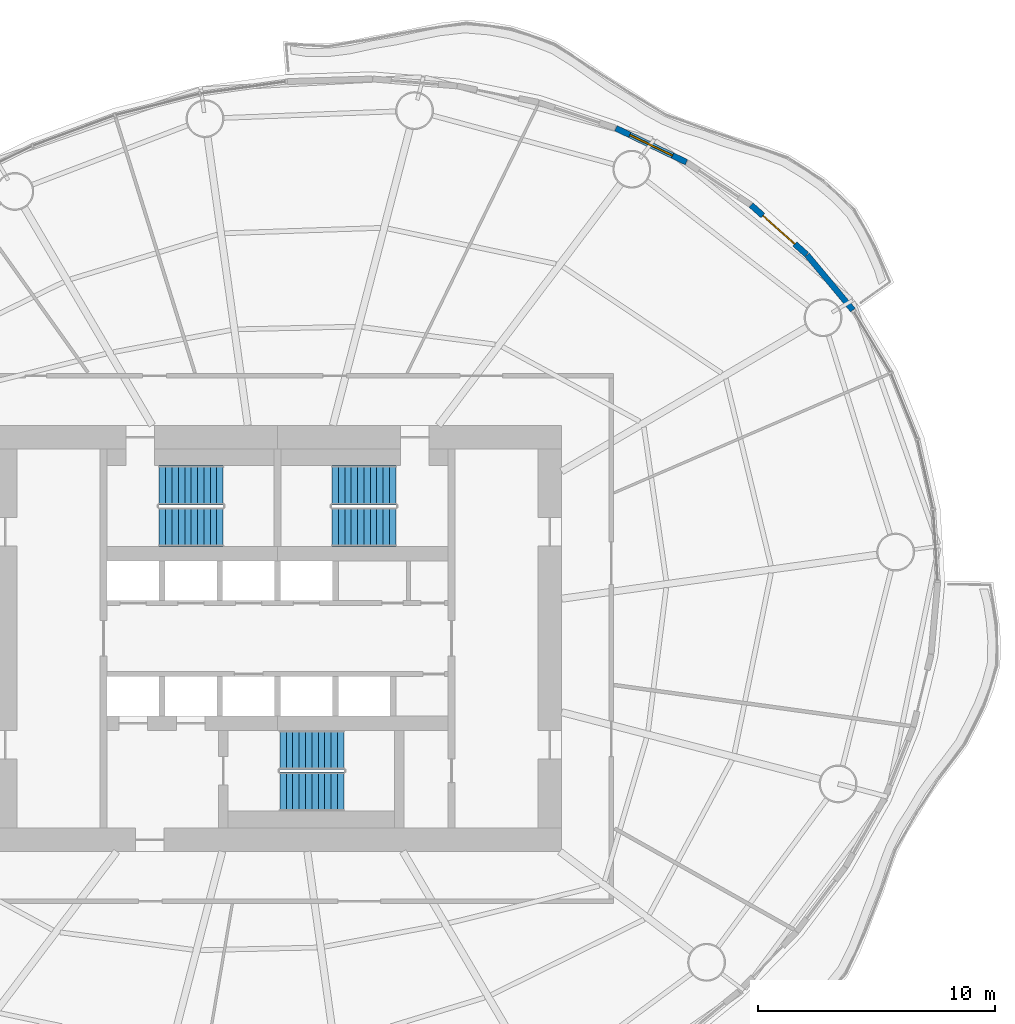
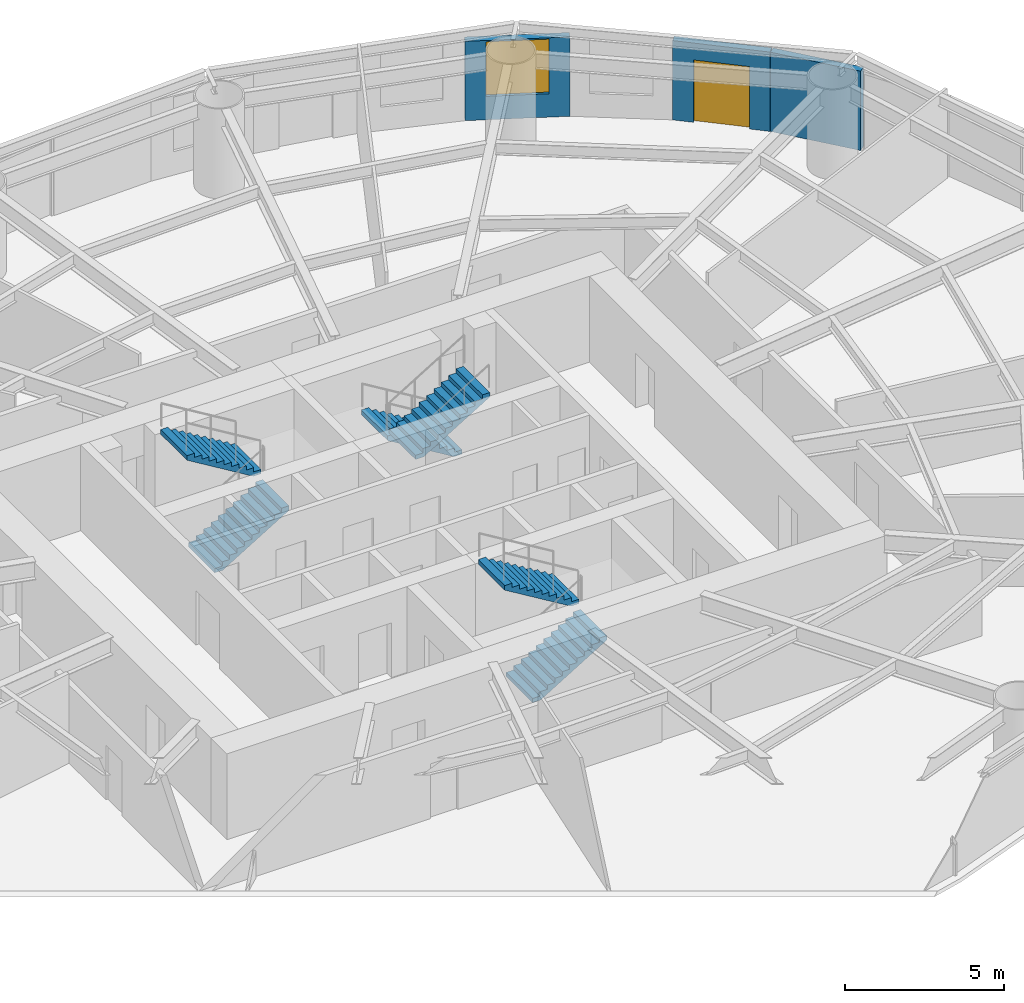
# One storey, part 11 of 16: 6 stair flights, 3 walls, 1 door, 1 window, 2 openings, 3 elements without a shape of their own.
"""IFC4 building model written with IfcOpenShell, lengths in metres."""

from ifc_helpers import new_model, si_unit, direction, frame, frame_2d, origin, place, context, subcontext, project, spatial, polyline, rectangle, outline, extrude, material, layer, layer_set, type_object, element, fill, aggregate, save


model = new_model("IFC4")

# Units and contexts
model_context = context("Model", 3, precision=1e-05, world=origin(), true_north=direction((0.0, 1.0)))
body_context = subcontext(model_context, "Body", "Model", "MODEL_VIEW")
ifc_project = project(units=[si_unit("LENGTHUNIT", "METRE"), si_unit("AREAUNIT", "SQUARE_METRE"), si_unit("VOLUMEUNIT", "CUBIC_METRE"), si_unit("PLANEANGLEUNIT", "RADIAN"), si_unit("MASSUNIT", "GRAM", prefix="KILO")], contexts=[model_context])

# Site, building, storey
site_placement = place(None, origin())
site = spatial("IfcSite", under=ifc_project, at=site_placement, CompositionType="ELEMENT")
building_placement = place(site_placement, origin())
building = spatial("IfcBuilding", under=site, at=building_placement, Name="Vermilion Reach Broadcast Tower", CompositionType="ELEMENT")
storey_placement = place(building_placement, frame((0.0, 0.0, 103.0)))
storey = spatial("IfcBuildingStorey", under=building, at=storey_placement, Name="L23", CompositionType="ELEMENT", Elevation=103.0)

# Wall
ifc_material_1 = material(Name="Terracotta rainscreen cladding", Category="masonry")
ifc_layer = layer(ifc_material_1, 0.25)
ifc_layer_set = layer_set([ifc_layer], Name="Terracotta rainscreen wall 250")
wall_type = type_object("IfcWallType", Name="Terracotta rainscreen wall 250", PredefinedType="SOLIDWALL", material=ifc_layer_set)
wall_1_placement = place(storey_placement, frame((18.30419921875, 13.870361328125, 0.0), z_axis=(0.0, 0.0, 1.0), x_axis=(-0.639859311978, 0.768492069494, 0.0)))
element("IfcWall", 1, at=wall_1_placement, inside=storey, type_object=wall_type, Name="External wall L23 02", PredefinedType="SOLIDWALL", context=body_context, shape_type="SweptSolid", body=[
    extrude(rectangle(XDim=3.029052734375, YDim=0.25, at=frame_2d((1.5146484375, 0.0))), origin(), (0.0, 0.0, 1.0), 3.050048828125),
])

# Wall, opening, door
wall_2_placement = place(storey_placement, frame((16.347412109375, 16.217529296875, 0.0), z_axis=(0.0, 0.0, 1.0), x_axis=(-0.746859935175, 0.664981381116, 0.0)))
wall_2 = element("IfcWall", 2, at=wall_2_placement, inside=storey, type_object=wall_type, Name="External wall L23 03", PredefinedType="SOLIDWALL", context=body_context, shape_type="SweptSolid", body=[
    extrude(rectangle(XDim=3.139892578125, YDim=0.25, at=frame_2d((1.56982421875, 0.0))), origin(), (0.0, 0.0, 1.0), 3.050048828125),
])
opening_1_placement = place(wall_2_placement, frame((0.669921875, 0.0, 0.0)))
opening_1 = element("IfcOpeningElement", 3, at=opening_1_placement, cuts=wall_2, Name="Opening D70", PredefinedType="OPENING", context=body_context, shape_type="SweptSolid", body=[
    extrude(rectangle(XDim=1.800048828125, YDim=2.39990234375, at=frame_2d((0.89990234375, 1.199951171875))), frame((0.0, 0.135009765625, 0.0), z_axis=(0.0, -1.0, 0.0), x_axis=(1.0, 0.0, 0.0)), (0.0, 0.0, 1.0), 0.27001953125),
])
ifc_material_2 = material(Name="Low-e laminated clear glass in aluminium frame", Category="aluminium")
door_type = type_object("IfcDoorType", Name="Balcony sliding door 1800 x 2400", OperationType="DOUBLE_DOOR_SLIDING", PredefinedType="DOOR", material=ifc_material_2)
door_placement = place(opening_1_placement, origin())
door = element("IfcDoor", 4, at=door_placement, inside=storey, type_object=door_type, Name="Balcony door L23 run 01", OperationType="DOUBLE_DOOR_SLIDING", OverallHeight=2.39990234375, OverallWidth=1.800048828125, PredefinedType="DOOR", context=body_context, shape_type="SweptSolid", body=[
    extrude(rectangle(XDim=1.800048828125, YDim=2.39990234375, at=frame_2d((0.89990234375, 1.199951171875))), frame((0.0, 0.02490234375, 0.0), z_axis=(0.0, -1.0, 0.0), x_axis=(1.0, 0.0, 0.0)), (0.0, 0.0, 1.0), 0.050048828125),
])
fill(opening_1, door)

# Wall, opening, window
wall_3_placement = place(storey_placement, frame((11.273681640625, 20.113525390625, 0.0), z_axis=(0.0, 0.0, 1.0), x_axis=(-0.900502882427, 0.43485004167, 0.0)))
wall_3 = element("IfcWall", 5, at=wall_3_placement, inside=storey, type_object=wall_type, Name="External wall L23 05", PredefinedType="SOLIDWALL", context=body_context, shape_type="SweptSolid", body=[
    extrude(rectangle(XDim=3.31298828125, YDim=0.25, at=frame_2d((1.656494140625, 0.0))), origin(), (0.0, 0.0, 1.0), 3.050048828125),
])
opening_2_placement = place(wall_3_placement, frame((0.656494140625, 0.0, 0.89990234375)))
opening_2 = element("IfcOpeningElement", 6, at=opening_2_placement, cuts=wall_3, Name="Opening W03", PredefinedType="OPENING", context=body_context, shape_type="SweptSolid", body=[
    extrude(rectangle(XDim=2.0, YDim=2.10009765625, at=frame_2d((1.0, 1.050048828125))), frame((0.0, 0.135009765625, 0.0), z_axis=(0.0, -1.0, 0.0), x_axis=(1.0, 0.0, 0.0)), (0.0, 0.0, 1.0), 0.27001953125),
])
ifc_material_3 = material(Name="Low-e laminated clear glass in aluminium frame", Category="aluminium")
window_type = type_object("IfcWindowType", Name="Punched window 2000 x 2100 sill 900", PartitioningType="SINGLE_PANEL", PredefinedType="WINDOW", material=ifc_material_3)
window_placement = place(opening_2_placement, origin())
window = element("IfcWindow", 7, at=window_placement, inside=storey, type_object=window_type, Name="Window L23 05", OverallHeight=2.10009765625, OverallWidth=2.0, PartitioningType="SINGLE_PANEL", PredefinedType="WINDOW", context=body_context, shape_type="SweptSolid", body=[
    extrude(rectangle(XDim=2.0, YDim=2.10009765625, at=frame_2d((1.0, 1.050048828125))), frame((0.0, 0.030029296875, 0.0), z_axis=(0.0, -1.0, 0.0), x_axis=(1.0, 0.0, 0.0)), (0.0, 0.0, 1.0), 0.06005859375),
])
fill(opening_2, window)

# Stair, stair flights
ifc_material_4 = material(Name="Concrete C40", Category="concrete")
stair_type = type_object("IfcStairType", Name="Exit stair RC 22 risers 164 mm", PredefinedType="HALF_TURN_STAIR", material=ifc_material_4)
placement = place(storey_placement, origin())
stair_1 = element("IfcStair", 8, at=placement, inside=storey, type_object=stair_type, Name="L23 Exit stair ST1", PredefinedType="HALF_TURN_STAIR")
ifc_material_5 = material(Name="Concrete C40", Category="concrete")
stair_flight_type = type_object("IfcStairFlightType", Name="Exit stair flight RC 11 risers", PredefinedType="STRAIGHT", material=ifc_material_5)
stair_flight_1_placement = place(storey_placement, frame((-11.0, 4.7099609375, 0.0), z_axis=(0.0, 0.0, 1.0), x_axis=(1.0, 0.0, 0.0)))
stair_flight_1 = element("IfcStairFlight", 9, at=stair_flight_1_placement, type_object=stair_flight_type, Name="ST1 flight 1", NumberOfRisers=11, NumberOfTreads=10, PredefinedType="STRAIGHT", RiserHeight=0.163636364, TreadLength=0.27, context=body_context, shape_type="SweptSolid", body=[
    extrude(outline(polyline([(0.0, 0.0), (0.0, 0.16357421875), (0.27001953125, 0.16357421875), (0.27001953125, 0.327392578125), (0.5400390625, 0.327392578125), (0.5400390625, 0.490966796875), (0.81005859375, 0.490966796875), (0.81005859375, 0.654541015625), (1.080078125, 0.654541015625), (1.080078125, 0.818115234375), (1.35009765625, 0.818115234375), (1.35009765625, 0.98193359375), (1.6201171875, 0.98193359375), (1.6201171875, 1.1455078125), (1.889892578125, 1.1455078125), (1.889892578125, 1.30908203125), (2.159912109375, 1.30908203125), (2.159912109375, 1.47265625), (2.429931640625, 1.47265625), (2.429931640625, 1.636474609375), (2.699951171875, 1.636474609375), (2.699951171875, 1.800048828125), (2.699951171875, 1.461181640625), (0.289306640625, 0.0), (0.0, 0.0)])), frame((0.0, 0.830078125, 0.0), z_axis=(0.0, -1.0, 0.0), x_axis=(1.0, 0.0, 0.0)), (0.0, 0.0, 1.0), 1.659912109375),
])
stair_flight_2_placement = place(storey_placement, frame((-8.300048828125, 6.469970703125, 1.800048828125), z_axis=(0.0, 0.0, 1.0), x_axis=(-1.0, 0.0, 0.0)))
stair_flight_2 = element("IfcStairFlight", 10, at=stair_flight_2_placement, type_object=stair_flight_type, Name="ST1 flight 2", NumberOfRisers=11, NumberOfTreads=10, PredefinedType="STRAIGHT", RiserHeight=0.163636364, TreadLength=0.27, context=body_context, shape_type="SweptSolid", body=[
    extrude(outline(polyline([(0.0, 0.0), (0.0, 0.16357421875), (0.27001953125, 0.16357421875), (0.27001953125, 0.327392578125), (0.5400390625, 0.327392578125), (0.5400390625, 0.490966796875), (0.81005859375, 0.490966796875), (0.81005859375, 0.654541015625), (1.080078125, 0.654541015625), (1.080078125, 0.818115234375), (1.35009765625, 0.818115234375), (1.35009765625, 0.98193359375), (1.6201171875, 0.98193359375), (1.6201171875, 1.1455078125), (1.889892578125, 1.1455078125), (1.889892578125, 1.30908203125), (2.159912109375, 1.30908203125), (2.159912109375, 1.47265625), (2.429931640625, 1.47265625), (2.429931640625, 1.636474609375), (2.699951171875, 1.636474609375), (2.699951171875, 1.800048828125), (2.699951171875, 1.461181640625), (0.289306640625, 0.0), (0.0, 0.0)])), frame((0.0, 0.830078125, 0.0), z_axis=(0.0, -1.0, 0.0), x_axis=(1.0, 0.0, 0.0)), (0.0, 0.0, 1.0), 1.659912109375),
])
aggregate(stair_1, [stair_flight_1, stair_flight_2])

stair_2 = element("IfcStair", 11, at=placement, inside=storey, type_object=stair_type, Name="L23 Exit stair ST2", PredefinedType="HALF_TURN_STAIR")
stair_flight_3_placement = place(storey_placement, frame((-1.0, 6.469970703125, 0.0), z_axis=(0.0, 0.0, 1.0), x_axis=(-1.0, 0.0, 0.0)))
stair_flight_3 = element("IfcStairFlight", 12, at=stair_flight_3_placement, type_object=stair_flight_type, Name="ST2 flight 1", NumberOfRisers=11, NumberOfTreads=10, PredefinedType="STRAIGHT", RiserHeight=0.163636364, TreadLength=0.27, context=body_context, shape_type="SweptSolid", body=[
    extrude(outline(polyline([(0.0, 0.0), (0.0, 0.16357421875), (0.27001953125, 0.16357421875), (0.27001953125, 0.327392578125), (0.5400390625, 0.327392578125), (0.5400390625, 0.490966796875), (0.81005859375, 0.490966796875), (0.81005859375, 0.654541015625), (1.080078125, 0.654541015625), (1.080078125, 0.818115234375), (1.35009765625, 0.818115234375), (1.35009765625, 0.98193359375), (1.6201171875, 0.98193359375), (1.6201171875, 1.1455078125), (1.889892578125, 1.1455078125), (1.889892578125, 1.30908203125), (2.159912109375, 1.30908203125), (2.159912109375, 1.47265625), (2.429931640625, 1.47265625), (2.429931640625, 1.636474609375), (2.699951171875, 1.636474609375), (2.699951171875, 1.800048828125), (2.699951171875, 1.461181640625), (0.289306640625, 0.0), (0.0, 0.0)])), frame((0.0, 0.830078125, 0.0), z_axis=(0.0, -1.0, 0.0), x_axis=(1.0, 0.0, 0.0)), (0.0, 0.0, 1.0), 1.659912109375),
])
stair_flight_4_placement = place(storey_placement, frame((-3.699951171875, 4.7099609375, 1.800048828125), z_axis=(0.0, 0.0, 1.0), x_axis=(1.0, 0.0, 0.0)))
stair_flight_4 = element("IfcStairFlight", 13, at=stair_flight_4_placement, type_object=stair_flight_type, Name="ST2 flight 2", NumberOfRisers=11, NumberOfTreads=10, PredefinedType="STRAIGHT", RiserHeight=0.163636364, TreadLength=0.27, context=body_context, shape_type="SweptSolid", body=[
    extrude(outline(polyline([(0.0, 0.0), (0.0, 0.16357421875), (0.27001953125, 0.16357421875), (0.27001953125, 0.327392578125), (0.5400390625, 0.327392578125), (0.5400390625, 0.490966796875), (0.81005859375, 0.490966796875), (0.81005859375, 0.654541015625), (1.080078125, 0.654541015625), (1.080078125, 0.818115234375), (1.35009765625, 0.818115234375), (1.35009765625, 0.98193359375), (1.6201171875, 0.98193359375), (1.6201171875, 1.1455078125), (1.889892578125, 1.1455078125), (1.889892578125, 1.30908203125), (2.159912109375, 1.30908203125), (2.159912109375, 1.47265625), (2.429931640625, 1.47265625), (2.429931640625, 1.636474609375), (2.699951171875, 1.636474609375), (2.699951171875, 1.800048828125), (2.699951171875, 1.461181640625), (0.289306640625, 0.0), (0.0, 0.0)])), frame((0.0, 0.830078125, 0.0), z_axis=(0.0, -1.0, 0.0), x_axis=(1.0, 0.0, 0.0)), (0.0, 0.0, 1.0), 1.659912109375),
])
aggregate(stair_2, [stair_flight_3, stair_flight_4])

stair_3 = element("IfcStair", 14, at=placement, inside=storey, type_object=stair_type, Name="L23 Exit stair ST3", PredefinedType="HALF_TURN_STAIR")
stair_flight_5_placement = place(storey_placement, frame((-5.89990234375, -6.469970703125, 0.0), z_axis=(0.0, 0.0, 1.0), x_axis=(1.0, 0.0, 0.0)))
stair_flight_5 = element("IfcStairFlight", 15, at=stair_flight_5_placement, type_object=stair_flight_type, Name="ST3 flight 1", NumberOfRisers=11, NumberOfTreads=10, PredefinedType="STRAIGHT", RiserHeight=0.163636364, TreadLength=0.27, context=body_context, shape_type="SweptSolid", body=[
    extrude(outline(polyline([(0.0, 0.0), (0.0, 0.16357421875), (0.27001953125, 0.16357421875), (0.27001953125, 0.327392578125), (0.5400390625, 0.327392578125), (0.5400390625, 0.490966796875), (0.81005859375, 0.490966796875), (0.81005859375, 0.654541015625), (1.080078125, 0.654541015625), (1.080078125, 0.818115234375), (1.35009765625, 0.818115234375), (1.35009765625, 0.98193359375), (1.6201171875, 0.98193359375), (1.6201171875, 1.1455078125), (1.889892578125, 1.1455078125), (1.889892578125, 1.30908203125), (2.159912109375, 1.30908203125), (2.159912109375, 1.47265625), (2.429931640625, 1.47265625), (2.429931640625, 1.636474609375), (2.699951171875, 1.636474609375), (2.699951171875, 1.800048828125), (2.699951171875, 1.461181640625), (0.289306640625, 0.0), (0.0, 0.0)])), frame((0.0, 0.830078125, 0.0), z_axis=(0.0, -1.0, 0.0), x_axis=(1.0, 0.0, 0.0)), (0.0, 0.0, 1.0), 1.659912109375),
])
stair_flight_6_placement = place(storey_placement, frame((-3.199951171875, -4.7099609375, 1.800048828125), z_axis=(0.0, 0.0, 1.0), x_axis=(-1.0, 0.0, 0.0)))
stair_flight_6 = element("IfcStairFlight", 16, at=stair_flight_6_placement, type_object=stair_flight_type, Name="ST3 flight 2", NumberOfRisers=11, NumberOfTreads=10, PredefinedType="STRAIGHT", RiserHeight=0.163636364, TreadLength=0.27, context=body_context, shape_type="SweptSolid", body=[
    extrude(outline(polyline([(0.0, 0.0), (0.0, 0.16357421875), (0.27001953125, 0.16357421875), (0.27001953125, 0.327392578125), (0.5400390625, 0.327392578125), (0.5400390625, 0.490966796875), (0.81005859375, 0.490966796875), (0.81005859375, 0.654541015625), (1.080078125, 0.654541015625), (1.080078125, 0.818115234375), (1.35009765625, 0.818115234375), (1.35009765625, 0.98193359375), (1.6201171875, 0.98193359375), (1.6201171875, 1.1455078125), (1.889892578125, 1.1455078125), (1.889892578125, 1.30908203125), (2.159912109375, 1.30908203125), (2.159912109375, 1.47265625), (2.429931640625, 1.47265625), (2.429931640625, 1.636474609375), (2.699951171875, 1.636474609375), (2.699951171875, 1.800048828125), (2.699951171875, 1.461181640625), (0.289306640625, 0.0), (0.0, 0.0)])), frame((0.0, 0.830078125, 0.0), z_axis=(0.0, -1.0, 0.0), x_axis=(1.0, 0.0, 0.0)), (0.0, 0.0, 1.0), 1.659912109375),
])
aggregate(stair_3, [stair_flight_5, stair_flight_6])

save(model, "model.ifc")
